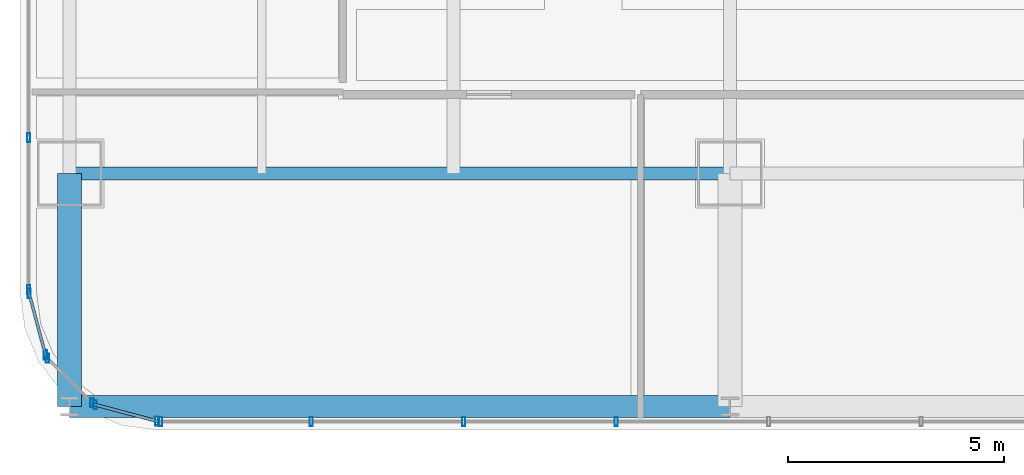
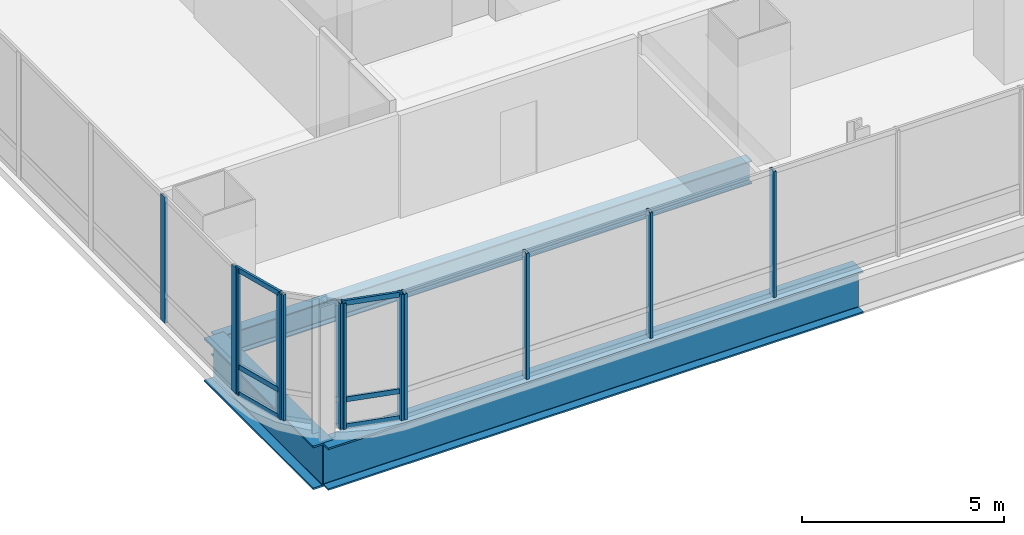
# One storey, part 2 of 34: 18 members, 3 beams, 5 elements without a shape of their own.
"""IFC4 building model written with IfcOpenShell, lengths in metres."""

from ifc_helpers import new_model, si_unit, direction, frame, origin, origin_2d, place, context, subcontext, project, spatial, hollow_rectangle, i_section, extrude, material, material_profile, profile_set, type_object, element, aggregate, save


model = new_model("IFC4")

# Units and contexts
model_context = context("Model", 3, precision=1e-05, world=origin(), true_north=direction((0.0, 1.0)))
body_context = subcontext(model_context, "Body", "Model", "MODEL_VIEW")
ifc_project = project(units=[si_unit("LENGTHUNIT", "METRE"), si_unit("AREAUNIT", "SQUARE_METRE"), si_unit("VOLUMEUNIT", "CUBIC_METRE"), si_unit("PLANEANGLEUNIT", "RADIAN"), si_unit("MASSUNIT", "GRAM", prefix="KILO")], contexts=[model_context])

# Site, building, storey
site_placement = place(None, origin())
site = spatial("IfcSite", under=ifc_project, at=site_placement, CompositionType="ELEMENT")
building_placement = place(site_placement, origin())
building = spatial("IfcBuilding", under=site, at=building_placement, Name="Punatoya Terracotta Tower", CompositionType="ELEMENT")
storey_placement = place(building_placement, frame((0.0, 0.0, 84.89990234375)))
storey = spatial("IfcBuildingStorey", under=building, at=storey_placement, Name="L19", CompositionType="ELEMENT", Elevation=84.89990234375)

# Beams
ifc_material_1 = material(Name="Steel S355", Category="steel")
ifc_material_profile_1 = material_profile(ifc_material_1, i_section(OverallWidth=0.300048828125, OverallDepth=0.699951171875, WebThickness=0.01708984375, FlangeThickness=0.031982421875, FilletRadius=0.01806640625, at=origin_2d()))
ifc_profile_set_1 = profile_set([ifc_material_profile_1], Name="Steel S355")
beam_type_1 = type_object("IfcBeamType", Name="BM-PRI-700", PredefinedType="BEAM", material=ifc_profile_set_1)
beam_1_placement = place(storey_placement, frame((-19.10009765625, -17.5, -0.58984375), z_axis=(1.0, 0.0, 0.0), x_axis=(0.0, 1.0, 0.0)))
element("IfcBeam", 1, at=beam_1_placement, inside=storey, type_object=beam_type_1, Name="BM-L19-RG-S1", PredefinedType="BEAM", context=body_context, shape_type="SweptSolid", body=[
    extrude(i_section(OverallWidth=0.300048828125, OverallDepth=0.699951171875, WebThickness=0.01708984375, FlangeThickness=0.031982421875, FilletRadius=0.01806640625, at=origin_2d()), origin(), (0.0, 0.0, 1.0), 15.300048828125),
])
ifc_material_2 = material(Name="Steel S460", Category="steel")
ifc_material_profile_2 = material_profile(ifc_material_2, i_section(OverallWidth=0.56005859375, OverallDepth=1.320068359375, WebThickness=0.035888671875, FlangeThickness=0.054931640625, FilletRadius=0.01806640625, at=origin_2d()))
ifc_profile_set_2 = profile_set([ifc_material_profile_2], Name="Steel S460")
beam_type_2 = type_object("IfcBeamType", Name="BM-TG-BLK", PredefinedType="BEAM", material=ifc_profile_set_2)
beam_2_placement = place(storey_placement, frame((-19.10009765625, -22.89990234375, -0.89990234375), z_axis=(0.0, 1.0, 0.0), x_axis=(-1.0, 0.0, 0.0)))
element("IfcBeam", 2, at=beam_2_placement, inside=storey, type_object=beam_type_2, Name="BM-L19-CANT-S1", PredefinedType="BEAM", context=body_context, shape_type="SweptSolid", body=[
    extrude(i_section(OverallWidth=0.56005859375, OverallDepth=1.320068359375, WebThickness=0.035888671875, FlangeThickness=0.054931640625, FilletRadius=0.01806640625, at=origin_2d()), origin(), (0.0, 0.0, 1.0), 5.39990234375),
])
ifc_material_profile_3 = material_profile(ifc_material_2, i_section(OverallWidth=0.52001953125, OverallDepth=1.280029296875, WebThickness=0.031982421875, FlangeThickness=0.050048828125, FilletRadius=0.01806640625, at=origin_2d()))
ifc_profile_set_3 = profile_set([ifc_material_profile_3], Name="Steel S460")
beam_type_3 = type_object("IfcBeamType", Name="BM-TG-NCK", PredefinedType="BEAM", material=ifc_profile_set_3)
beam_3_placement = place(storey_placement, frame((-19.10009765625, -22.89990234375, -0.8798828125), z_axis=(1.0, 0.0, 0.0), x_axis=(0.0, 1.0, 0.0)))
element("IfcBeam", 3, at=beam_3_placement, inside=storey, type_object=beam_type_3, Name="BM-L19-PER-S1", PredefinedType="BEAM", context=body_context, shape_type="SweptSolid", body=[
    extrude(i_section(OverallWidth=0.52001953125, OverallDepth=1.280029296875, WebThickness=0.031982421875, FlangeThickness=0.050048828125, FilletRadius=0.01806640625, at=origin_2d()), origin(), (0.0, 0.0, 1.0), 15.300048828125),
])

# Curtain wall, members
ifc_material_3 = material(Name="Aluminium 6063-T6 + Double Low-E Glass", Category="aluminium")
curtain_wall_type = type_object("IfcCurtainWallType", Name="CW-M1", PredefinedType="NOTDEFINED", material=ifc_material_3)
curtain_wall_1_placement = place(storey_placement, origin())
curtain_wall_1 = element("IfcCurtainWall", 4, at=curtain_wall_1_placement, inside=storey, type_object=curtain_wall_type, Name="L19 Curtain Wall CW-L19-S01-1", PredefinedType="NOTDEFINED")
ifc_material_4 = material(Name="Aluminium 6063-T6", Category="aluminium")
ifc_material_profile_4 = material_profile(ifc_material_4, hollow_rectangle(XDim=0.074951171875, YDim=0.2099609375, WallThickness=0.00439453125, at=origin_2d()))
ifc_profile_set_4 = profile_set([ifc_material_profile_4], Name="Aluminium 6063-T6")
member_type_1 = type_object("IfcMemberType", Name="CW-MUL-M1", PredefinedType="MULLION", material=ifc_profile_set_4)
member_1_placement = place(storey_placement, frame((-16.991943359375, -23.25, 0.0), z_axis=(0.0, 0.0, 1.0), x_axis=(1.0, 0.0, 0.0)))
member_1 = element("IfcMember", 5, at=member_1_placement, type_object=member_type_1, Name="CW-L19-S01-1 Mullion 00", PredefinedType="MULLION", context=body_context, shape_type="SweptSolid", body=[
    extrude(hollow_rectangle(XDim=0.074951171875, YDim=0.2099609375, WallThickness=0.00439453125, at=origin_2d()), origin(), (0.0, 0.0, 1.0), 3.81005859375),
])
member_2_placement = place(storey_placement, frame((-13.5029296875, -23.25, 0.0), z_axis=(0.0, 0.0, 1.0), x_axis=(1.0, 0.0, 0.0)))
member_2 = element("IfcMember", 6, at=member_2_placement, type_object=member_type_1, Name="CW-L19-S01-1 Mullion 01", PredefinedType="MULLION", context=body_context, shape_type="SweptSolid", body=[
    extrude(hollow_rectangle(XDim=0.074951171875, YDim=0.2099609375, WallThickness=0.00439453125, at=origin_2d()), origin(), (0.0, 0.0, 1.0), 3.81005859375),
])
member_3_placement = place(storey_placement, frame((-9.968994140625, -23.25, 0.0), z_axis=(0.0, 0.0, 1.0), x_axis=(1.0, 0.0, 0.0)))
member_3 = element("IfcMember", 7, at=member_3_placement, type_object=member_type_1, Name="CW-L19-S01-1 Mullion 02", PredefinedType="MULLION", context=body_context, shape_type="SweptSolid", body=[
    extrude(hollow_rectangle(XDim=0.074951171875, YDim=0.2099609375, WallThickness=0.00439453125, at=origin_2d()), origin(), (0.0, 0.0, 1.0), 3.81005859375),
])
member_4_placement = place(storey_placement, frame((-6.43505859375, -23.25, 0.0), z_axis=(0.0, 0.0, 1.0), x_axis=(1.0, 0.0, 0.0)))
member_4 = element("IfcMember", 8, at=member_4_placement, type_object=member_type_1, Name="CW-L19-S01-1 Mullion 03", PredefinedType="MULLION", context=body_context, shape_type="SweptSolid", body=[
    extrude(hollow_rectangle(XDim=0.074951171875, YDim=0.2099609375, WallThickness=0.00439453125, at=origin_2d()), origin(), (0.0, 0.0, 1.0), 3.81005859375),
])
aggregate(curtain_wall_1, [member_1, member_2, member_3, member_4])

curtain_wall_2_placement = place(storey_placement, origin())
curtain_wall_2 = element("IfcCurtainWall", 9, at=curtain_wall_2_placement, inside=storey, type_object=curtain_wall_type, Name="L19 Curtain Wall CW-L19-W13-1", PredefinedType="NOTDEFINED")
member_5_placement = place(storey_placement, frame((-20.050048828125, -16.66943359375, 0.0), z_axis=(0.0, 0.0, 1.0), x_axis=(1.0, 0.0, 0.0)))
member_5 = element("IfcMember", 10, at=member_5_placement, type_object=member_type_1, Name="CW-L19-W13-1 Mullion 09", PredefinedType="MULLION", context=body_context, shape_type="SweptSolid", body=[
    extrude(hollow_rectangle(XDim=0.074951171875, YDim=0.2099609375, WallThickness=0.00439453125, at=origin_2d()), origin(), (0.0, 0.0, 1.0), 3.81005859375),
])
member_6_placement = place(storey_placement, frame((-20.050048828125, -20.19189453125, 0.0), z_axis=(0.0, 0.0, 1.0), x_axis=(1.0, 0.0, 0.0)))
member_6 = element("IfcMember", 11, at=member_6_placement, type_object=member_type_1, Name="CW-L19-W13-1 Mullion 10", PredefinedType="MULLION", context=body_context, shape_type="SweptSolid", body=[
    extrude(hollow_rectangle(XDim=0.074951171875, YDim=0.2099609375, WallThickness=0.00439453125, at=origin_2d()), origin(), (0.0, 0.0, 1.0), 3.81005859375),
])
aggregate(curtain_wall_2, [member_5, member_6])

curtain_wall_3_placement = place(storey_placement, origin())
curtain_wall_3 = element("IfcCurtainWall", 12, at=curtain_wall_3_placement, inside=storey, type_object=curtain_wall_type, Name="L19 Curtain Wall CW-L19-CRN14", PredefinedType="NOTDEFINED")
member_7_placement = place(storey_placement, frame((-20.038330078125, -20.280517578125, 0.0), z_axis=(0.0, 0.0, 1.0), x_axis=(1.0, 0.0, 0.0)))
member_7 = element("IfcMember", 13, at=member_7_placement, type_object=member_type_1, Name="CW-L19-CRN14 Mullion 00", PredefinedType="MULLION", context=body_context, shape_type="SweptSolid", body=[
    extrude(hollow_rectangle(XDim=0.074951171875, YDim=0.2099609375, WallThickness=0.00439453125, at=origin_2d()), origin(), (0.0, 0.0, 1.0), 3.81005859375),
])
member_8_placement = place(storey_placement, frame((-19.658203125, -21.70556640625, 0.0), z_axis=(0.0, 0.0, 1.0), x_axis=(1.0, 0.0, 0.0)))
member_8 = element("IfcMember", 14, at=member_8_placement, type_object=member_type_1, Name="CW-L19-CRN14 Mullion 01", PredefinedType="MULLION", context=body_context, shape_type="SweptSolid", body=[
    extrude(hollow_rectangle(XDim=0.074951171875, YDim=0.2099609375, WallThickness=0.00439453125, at=origin_2d()), origin(), (0.0, 0.0, 1.0), 3.81005859375),
])

curtain_wall_4_placement = place(storey_placement, origin())
curtain_wall_4 = element("IfcCurtainWall", 15, at=curtain_wall_4_placement, inside=storey, type_object=curtain_wall_type, Name="L19 Curtain Wall CW-L19-CRN15", PredefinedType="NOTDEFINED")
member_9_placement = place(storey_placement, frame((-19.61474609375, -21.781005859375, 0.0), z_axis=(0.0, 0.0, 1.0), x_axis=(1.0, 0.0, 0.0)))
member_9 = element("IfcMember", 16, at=member_9_placement, type_object=member_type_1, Name="CW-L19-CRN15 Mullion 00", PredefinedType="MULLION", context=body_context, shape_type="SweptSolid", body=[
    extrude(hollow_rectangle(XDim=0.074951171875, YDim=0.2099609375, WallThickness=0.00439453125, at=origin_2d()), origin(), (0.0, 0.0, 1.0), 3.81005859375),
])
member_10_placement = place(storey_placement, frame((-18.580810546875, -22.814697265625, 0.0), z_axis=(0.0, 0.0, 1.0), x_axis=(1.0, 0.0, 0.0)))
member_10 = element("IfcMember", 17, at=member_10_placement, type_object=member_type_1, Name="CW-L19-CRN15 Mullion 01", PredefinedType="MULLION", context=body_context, shape_type="SweptSolid", body=[
    extrude(hollow_rectangle(XDim=0.074951171875, YDim=0.2099609375, WallThickness=0.00439453125, at=origin_2d()), origin(), (0.0, 0.0, 1.0), 3.81005859375),
])
aggregate(curtain_wall_4, [member_9, member_10])

curtain_wall_5_placement = place(storey_placement, origin())
curtain_wall_5 = element("IfcCurtainWall", 18, at=curtain_wall_5_placement, inside=storey, type_object=curtain_wall_type, Name="L19 Curtain Wall CW-L19-CRN16", PredefinedType="NOTDEFINED")
member_11_placement = place(storey_placement, frame((-18.505615234375, -22.858154296875, 0.0), z_axis=(0.0, 0.0, 1.0), x_axis=(1.0, 0.0, 0.0)))
member_11 = element("IfcMember", 19, at=member_11_placement, type_object=member_type_1, Name="CW-L19-CRN16 Mullion 00", PredefinedType="MULLION", context=body_context, shape_type="SweptSolid", body=[
    extrude(hollow_rectangle(XDim=0.074951171875, YDim=0.2099609375, WallThickness=0.00439453125, at=origin_2d()), origin(), (0.0, 0.0, 1.0), 3.81005859375),
])
member_12_placement = place(storey_placement, frame((-17.080322265625, -23.23828125, 0.0), z_axis=(0.0, 0.0, 1.0), x_axis=(1.0, 0.0, 0.0)))
member_12 = element("IfcMember", 20, at=member_12_placement, type_object=member_type_1, Name="CW-L19-CRN16 Mullion 01", PredefinedType="MULLION", context=body_context, shape_type="SweptSolid", body=[
    extrude(hollow_rectangle(XDim=0.074951171875, YDim=0.2099609375, WallThickness=0.00439453125, at=origin_2d()), origin(), (0.0, 0.0, 1.0), 3.81005859375),
])

# Member
ifc_material_profile_5 = material_profile(ifc_material_4, hollow_rectangle(XDim=0.068115234375, YDim=0.14990234375, WallThickness=0.00390625, at=origin_2d()))
ifc_profile_set_5 = profile_set([ifc_material_profile_5], Name="Aluminium 6063-T6")
member_type_2 = type_object("IfcMemberType", Name="CW-TRN-TYP", PredefinedType="USERDEFINED", material=ifc_profile_set_5)
member_13_placement = place(storey_placement, frame((-20.050048828125, -20.23681640625, 0.0400390625), z_axis=(0.257847112249, -0.966185730957, 0.0), x_axis=(0.966185730957, 0.257847112249, 0.0)))
member_13 = element("IfcMember", 21, at=member_13_placement, type_object=member_type_2, Name="CW-L19-CRN14 Transom 1", ObjectType="TRANSOM", PredefinedType="USERDEFINED", context=body_context, shape_type="SweptSolid", body=[
    extrude(hollow_rectangle(XDim=0.068115234375, YDim=0.14990234375, WallThickness=0.00390625, at=origin_2d()), origin(), (0.0, 0.0, 1.0), 1.565185546875),
])

member_14_placement = place(storey_placement, frame((-20.050048828125, -20.23681640625, 0.85009765625), z_axis=(0.257847112249, -0.966185730957, 0.0), x_axis=(0.966185730957, 0.257847112249, 0.0)))
member_14 = element("IfcMember", 22, at=member_14_placement, type_object=member_type_2, Name="CW-L19-CRN14 Transom 2", ObjectType="TRANSOM", PredefinedType="USERDEFINED", context=body_context, shape_type="SweptSolid", body=[
    extrude(hollow_rectangle(XDim=0.068115234375, YDim=0.14990234375, WallThickness=0.00390625, at=origin_2d()), origin(), (0.0, 0.0, 1.0), 1.565185546875),
])

member_15_placement = place(storey_placement, frame((-20.050048828125, -20.23681640625, 3.77001953125), z_axis=(0.257847112249, -0.966185730957, 0.0), x_axis=(0.966185730957, 0.257847112249, 0.0)))
member_15 = element("IfcMember", 23, at=member_15_placement, type_object=member_type_2, Name="CW-L19-CRN14 Transom 3", ObjectType="TRANSOM", PredefinedType="USERDEFINED", context=body_context, shape_type="SweptSolid", body=[
    extrude(hollow_rectangle(XDim=0.068115234375, YDim=0.14990234375, WallThickness=0.00390625, at=origin_2d()), origin(), (0.0, 0.0, 1.0), 1.565185546875),
])

aggregate(curtain_wall_3, [member_7, member_8, member_13, member_14, member_15])

member_16_placement = place(storey_placement, frame((-18.549072265625, -22.8466796875, 0.0400390625), z_axis=(0.966224582397, -0.257701486942, 0.0), x_axis=(0.257701486942, 0.966224582397, 0.0)))
member_16 = element("IfcMember", 24, at=member_16_placement, type_object=member_type_2, Name="CW-L19-CRN16 Transom 1", ObjectType="TRANSOM", PredefinedType="USERDEFINED", context=body_context, shape_type="SweptSolid", body=[
    extrude(hollow_rectangle(XDim=0.068115234375, YDim=0.14990234375, WallThickness=0.00390625, at=origin_2d()), origin(), (0.0, 0.0, 1.0), 1.565185546875),
])

member_17_placement = place(storey_placement, frame((-18.549072265625, -22.8466796875, 0.85009765625), z_axis=(0.966224582397, -0.257701486942, 0.0), x_axis=(0.257701486942, 0.966224582397, 0.0)))
member_17 = element("IfcMember", 25, at=member_17_placement, type_object=member_type_2, Name="CW-L19-CRN16 Transom 2", ObjectType="TRANSOM", PredefinedType="USERDEFINED", context=body_context, shape_type="SweptSolid", body=[
    extrude(hollow_rectangle(XDim=0.068115234375, YDim=0.14990234375, WallThickness=0.00390625, at=origin_2d()), origin(), (0.0, 0.0, 1.0), 1.565185546875),
])

member_18_placement = place(storey_placement, frame((-18.549072265625, -22.8466796875, 3.77001953125), z_axis=(0.966224582397, -0.257701486942, 0.0), x_axis=(0.257701486942, 0.966224582397, 0.0)))
member_18 = element("IfcMember", 26, at=member_18_placement, type_object=member_type_2, Name="CW-L19-CRN16 Transom 3", ObjectType="TRANSOM", PredefinedType="USERDEFINED", context=body_context, shape_type="SweptSolid", body=[
    extrude(hollow_rectangle(XDim=0.068115234375, YDim=0.14990234375, WallThickness=0.00390625, at=origin_2d()), origin(), (0.0, 0.0, 1.0), 1.565185546875),
])

aggregate(curtain_wall_5, [member_11, member_12, member_16, member_17, member_18])

save(model, "model.ifc")
